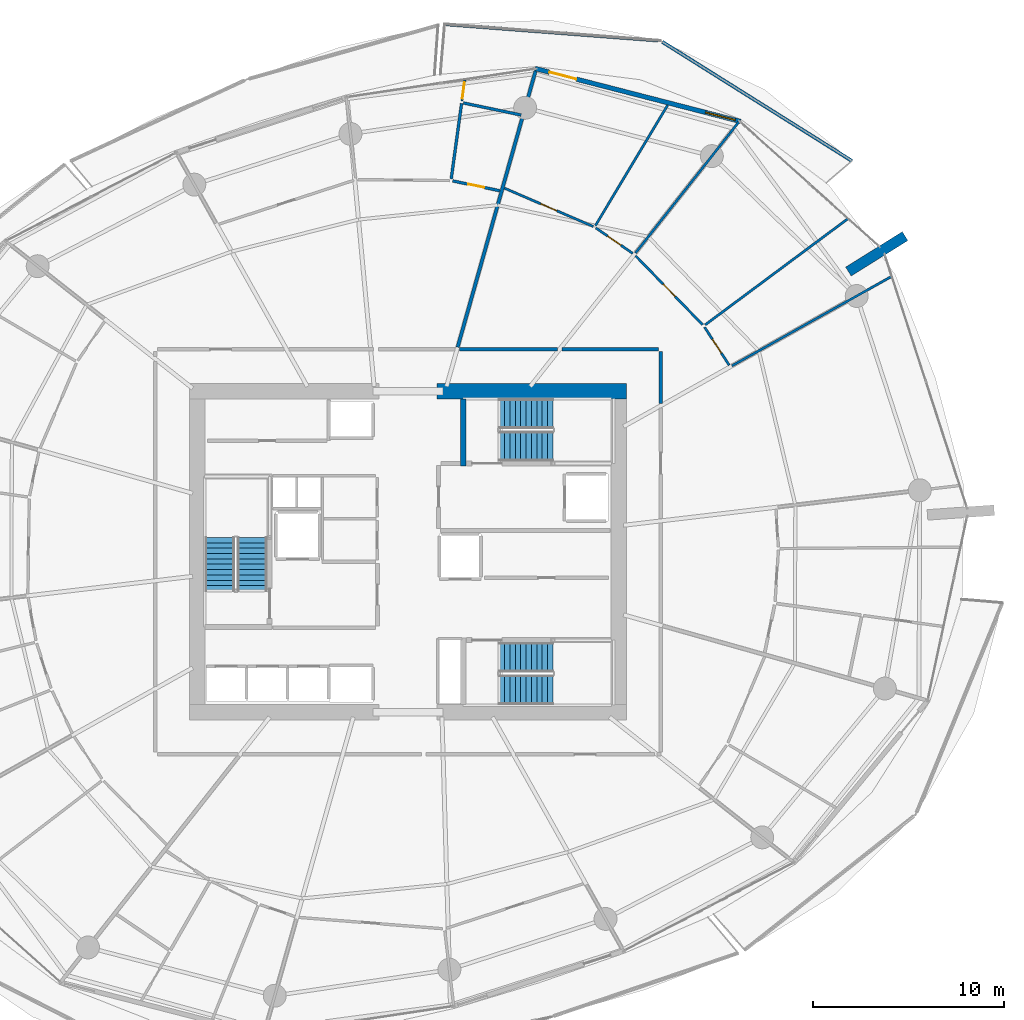
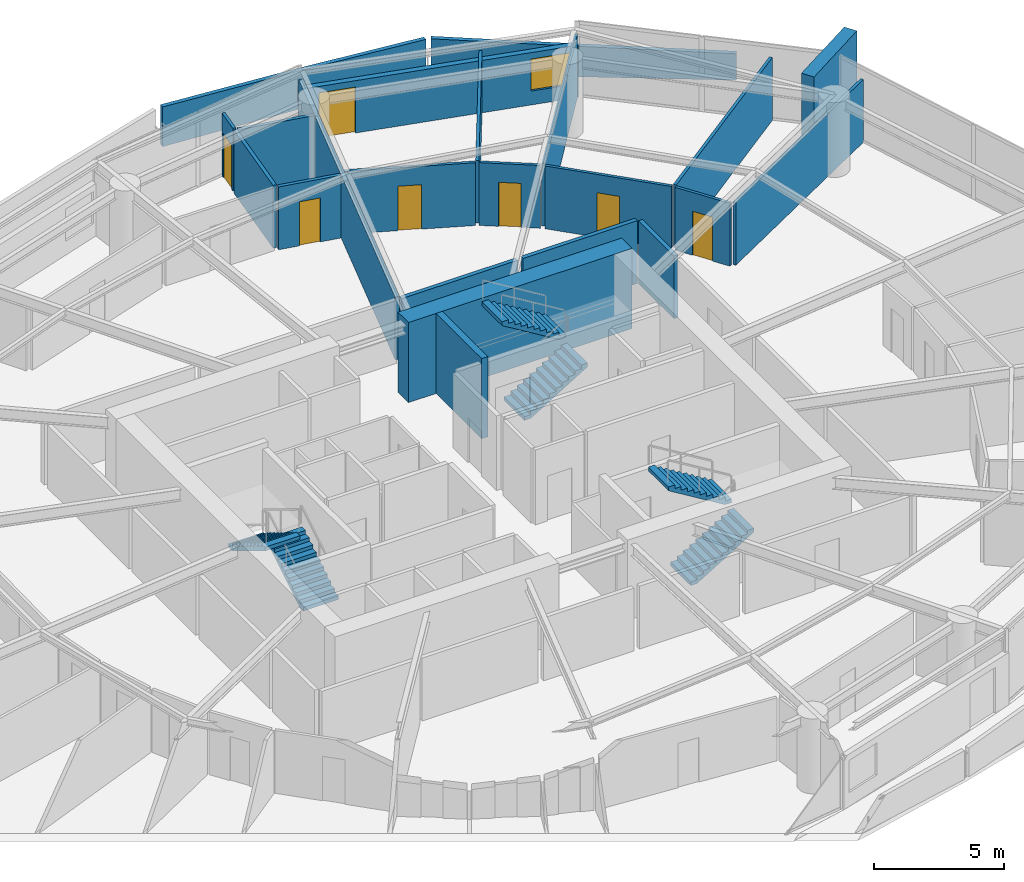
# One storey, part 15 of 22: 22 walls, 7 doors, 6 stair flights, 1 window, 8 openings, 3 elements without a shape of their own.
"""IFC4 building model written with IfcOpenShell, lengths in metres."""

from ifc_helpers import new_model, si_unit, direction, frame, frame_2d, origin, place, context, subcontext, project, spatial, polyline, rectangle, outline, extrude, material, layer, layer_set, type_object, element, fill, aggregate, save


model = new_model("IFC4")

# Units and contexts
model_context = context("Model", 3, precision=1e-05, world=origin(), true_north=direction((0.0, 1.0)))
body_context = subcontext(model_context, "Body", "Model", "MODEL_VIEW")
ifc_project = project(units=[si_unit("LENGTHUNIT", "METRE"), si_unit("AREAUNIT", "SQUARE_METRE"), si_unit("VOLUMEUNIT", "CUBIC_METRE"), si_unit("PLANEANGLEUNIT", "RADIAN"), si_unit("MASSUNIT", "GRAM", prefix="KILO")], contexts=[model_context])

# Site, building, storey
site_placement = place(None, origin())
site = spatial("IfcSite", under=ifc_project, at=site_placement, CompositionType="ELEMENT")
building_placement = place(site_placement, origin())
building = spatial("IfcBuilding", under=site, at=building_placement, Name="Kazma Halo Residences", CompositionType="ELEMENT")
storey_placement = place(building_placement, frame((0.0, 0.0, 93.89990234375)))
storey = spatial("IfcBuildingStorey", under=building, at=storey_placement, Name="L23", CompositionType="ELEMENT", Elevation=93.89990234375)

# Walls
ifc_material_1 = material(Name="White Concrete C50/60 Balustrade", Category="concrete")
ifc_layer_1 = layer(ifc_material_1, 0.179931640625)
ifc_layer_set_1 = layer_set([ifc_layer_1], Name="White Concrete C50/60 Balustrade")
wall_type_1 = type_object("IfcWallType", Name="WL-BAL-WAVE-180", PredefinedType="PARAPET", material=ifc_layer_set_1)
wall_1_placement = place(storey_placement, frame((71.654541015625, 62.4541015625, 0.0), z_axis=(0.0, 0.0, 1.0), x_axis=(-0.846860965628, 0.531814351908, 0.0)))
element("IfcWall", 1, at=wall_1_placement, inside=storey, type_object=wall_type_1, Name="L23 white wave balustrade wall NE.1", PredefinedType="PARAPET", context=body_context, shape_type="SweptSolid", body=[
    extrude(outline(polyline([(0.0, 0.0), (11.7177734375, 0.0), (11.7177734375, 1.632080078125), (5.85888671875, 1.418212890625), (0.0, 1.233154296875), (0.0, 0.0)])), frame((0.0, 0.08984375, 0.0), z_axis=(0.0, -1.0, 0.0), x_axis=(1.0, 0.0, 0.0)), (0.0, 0.0, 1.0), 0.179931640625),
])
wall_2_placement = place(storey_placement, frame((61.510009765625, 68.7587890625, 0.0), z_axis=(0.0, 0.0, 1.0), x_axis=(-0.997088496001, 0.076253073, 0.0)))
element("IfcWall", 2, at=wall_2_placement, inside=storey, type_object=wall_type_1, Name="L23 white wave balustrade wall NE.2", PredefinedType="PARAPET", context=body_context, shape_type="SweptSolid", body=[
    extrude(outline(polyline([(0.0, 0.0), (11.19970703125, 0.0), (11.199462890625, 1.860107421875), (5.599853515625, 1.798095703125), (0.0, 1.632080078125), (0.0, 0.0)])), frame((0.0, 0.08984375, 0.0), z_axis=(0.0, -1.0, 0.0), x_axis=(1.0, 0.0, 0.0)), (0.0, 0.0, 1.0), 0.179931640625),
])
ifc_material_2 = material(Name="Pale Concrete C60/75", Category="concrete")
ifc_layer_2 = layer(ifc_material_2, 0.550048828125)
ifc_layer_set_2 = layer_set([ifc_layer_2], Name="Pale Concrete C60/75")
wall_type_2 = type_object("IfcWallType", Name="WL-BLADE-550", PredefinedType="SOLIDWALL", material=ifc_layer_set_2)
wall_3_placement = place(storey_placement, frame((71.468505859375, 56.664794921875, 0.0), z_axis=(0.0, 0.0, 1.0), x_axis=(0.848053161125, 0.529911158502, 0.0)))
element("IfcWall", 3, at=wall_3_placement, inside=storey, type_object=wall_type_2, Name="L23 pale concrete structural blade fin wall BW-01", PredefinedType="SOLIDWALL", context=body_context, shape_type="SweptSolid", body=[
    extrude(rectangle(XDim=3.5, YDim=0.550048828125, at=frame_2d((1.75, 0.0))), origin(), (0.0, 0.0, 1.0), 3.75),
])
ifc_material_3 = material(Name="Concrete C80/95", Category="concrete")
ifc_layer_3 = layer(ifc_material_3, 0.800048828125)
ifc_layer_set_3 = layer_set([ifc_layer_3], Name="Concrete C80/95")
wall_type_3 = type_object("IfcWallType", Name="WL-CORE-800", PredefinedType="SHEAR", material=ifc_layer_set_3)
wall_4_placement = place(storey_placement, frame((49.949951171875, 50.39990234375, 0.0), z_axis=(0.0, 0.0, 1.0), x_axis=(1.0, 0.0, 0.0)))
element("IfcWall", 4, at=wall_4_placement, inside=storey, type_object=wall_type_3, Name="L23 central core shear wall NE", PredefinedType="SHEAR", context=body_context, shape_type="SweptSolid", body=[
    extrude(rectangle(XDim=9.900146484375, YDim=0.800048828125, at=frame_2d((4.9501953125, 0.0))), origin(), (0.0, 0.0, 1.0), 3.75),
])
ifc_material_4 = material(Name="Concrete C60/75", Category="concrete")
ifc_layer_4 = layer(ifc_material_4, 0.280029296875)
ifc_layer_set_4 = layer_set([ifc_layer_4], Name="Concrete C60/75")
wall_type_4 = type_object("IfcWallType", Name="WL-CORE-ST-280", PredefinedType="SHEAR", material=ifc_layer_set_4)
wall_5_placement = place(storey_placement, frame((51.31005859375, 46.5, 0.0), z_axis=(0.0, 0.0, 1.0), x_axis=(0.0, 1.0, 0.0)))
element("IfcWall", 5, at=wall_5_placement, inside=storey, type_object=wall_type_4, Name="L23 stairwell bearing wall ST02-W", PredefinedType="SHEAR", context=body_context, shape_type="SweptSolid", body=[
    extrude(rectangle(XDim=3.5, YDim=0.280029296875, at=frame_2d((1.75, 0.0))), origin(), (0.0, 0.0, 1.0), 3.75),
])
ifc_material_5 = material(Name="Acoustic Twin-Stud Gypsum")
ifc_layer_5 = layer(ifc_material_5, 0.179931640625)
ifc_layer_set_5 = layer_set([ifc_layer_5], Name="Acoustic Twin-Stud Gypsum")
wall_type_5 = type_object("IfcWallType", Name="WL-DEM-180", PredefinedType="PARTITIONING", material=ifc_layer_set_5)
wall_6_placement = place(storey_placement, frame((51.019287109375, 52.705810546875, 0.0), z_axis=(0.0, 0.0, 1.0), x_axis=(0.271450895995, 0.962452290279, 0.0)))
element("IfcWall", 6, at=wall_6_placement, inside=storey, type_object=wall_type_5, Name="L23 apartment demising radial wall 02", PredefinedType="PARTITIONING", context=body_context, shape_type="SweptSolid", body=[
    extrude(rectangle(XDim=15.014404296875, YDim=0.179931640625, at=frame_2d((7.50732421875, 0.0))), origin(), (0.0, 0.0, 1.0), 2.940185546875),
])
wall_7_placement = place(storey_placement, frame((61.64990234375, 49.764404296875, 0.0), z_axis=(0.0, 0.0, 1.0), x_axis=(0.0, 1.0, 0.0)))
element("IfcWall", 7, at=wall_7_placement, inside=storey, type_object=wall_type_5, Name="L23 Apartment 3 inner wall 0", PredefinedType="PARTITIONING", context=body_context, shape_type="SweptSolid", body=[
    extrude(rectangle(XDim=2.715576171875, YDim=0.179931640625, at=frame_2d((1.35791015625, 0.0))), origin(), (0.0, 0.0, 1.0), 2.940185546875),
])
wall_8_placement = place(storey_placement, frame((61.530029296875, 52.60009765625, 0.0), z_axis=(0.0, 0.0, 1.0), x_axis=(-1.0, 0.0, 0.0)))
element("IfcWall", 8, at=wall_8_placement, inside=storey, type_object=wall_type_5, Name="L23 Apartment 3 inner wall 0", PredefinedType="PARTITIONING", context=body_context, shape_type="SweptSolid", body=[
    extrude(rectangle(XDim=5.0537109375, YDim=0.179931640625, at=frame_2d((2.52685546875, 0.0))), origin(), (0.0, 0.0, 1.0), 2.940185546875),
])
wall_9_placement = place(storey_placement, frame((56.236328125, 52.60009765625, 0.0), z_axis=(0.0, 0.0, 1.0), x_axis=(-1.0, 0.0, 0.0)))
element("IfcWall", 9, at=wall_9_placement, inside=storey, type_object=wall_type_5, Name="L23 Apartment 3 inner wall 1", PredefinedType="PARTITIONING", context=body_context, shape_type="SweptSolid", body=[
    extrude(rectangle(XDim=5.126708984375, YDim=0.179931640625, at=frame_2d((2.5634765625, 0.0))), origin(), (0.0, 0.0, 1.0), 2.940185546875),
])

# Wall, openings, door, window
ifc_material_6 = material(Name="Insulated Pale-Metal Composite Wall")
ifc_layer_6 = layer(ifc_material_6, 0.239990234375)
ifc_layer_set_6 = layer_set([ifc_layer_6], Name="Insulated Pale-Metal Composite Wall")
wall_type_6 = type_object("IfcWallType", Name="WL-EXT-HOST-240", PredefinedType="SOLIDWALL", material=ifc_layer_set_6)
wall_10_placement = place(storey_placement, frame((65.81396484375, 64.52294921875, 0.0), z_axis=(0.0, 0.0, 1.0), x_axis=(-0.968356180858, 0.249572248045, 0.0)))
wall_10 = element("IfcWall", 10, at=wall_10_placement, inside=storey, type_object=wall_type_6, Name="L23 exterior terrace-access wall B02", PredefinedType="SOLIDWALL", context=body_context, shape_type="SweptSolid", body=[
    extrude(rectangle(XDim=11.08447265625, YDim=0.239990234375, at=frame_2d((5.542236328125, 0.0))), origin(), (0.0, 0.0, 1.0), 2.4501953125),
])
opening_1_placement = place(wall_10_placement, frame((8.864501953125, 0.0, 0.0)))
opening_1 = element("IfcOpeningElement", 11, at=opening_1_placement, cuts=wall_10, Name="Opening DTR-1600", PredefinedType="OPENING", context=body_context, shape_type="SweptSolid", body=[
    extrude(rectangle(XDim=1.449951171875, YDim=2.14990234375, at=frame_2d((0.72509765625, 1.074951171875))), frame((0.0, 0.1298828125, 0.0), z_axis=(0.0, -1.0, 0.0), x_axis=(1.0, 0.0, 0.0)), (0.0, 0.0, 1.0), 0.260009765625),
])
opening_2_placement = place(wall_10_placement, frame((0.280029296875, 0.0, 0.64990234375)))
opening_2 = element("IfcOpeningElement", 12, at=opening_2_placement, cuts=wall_10, Name="Opening W-1800", PredefinedType="OPENING", context=body_context, shape_type="SweptSolid", body=[
    extrude(rectangle(XDim=1.60009765625, YDim=1.5, at=frame_2d((0.800048828125, 0.75))), frame((0.0, 0.1298828125, 0.0), z_axis=(0.0, -1.0, 0.0), x_axis=(1.0, 0.0, 0.0)), (0.0, 0.0, 1.0), 0.260009765625),
])
ifc_material_7 = material(Name="Aluminium AW-6063 T6 Double-Glazed Terrace Door", Category="aluminium")
door_type_1 = type_object("IfcDoorType", Name="DR-EXT-TERR-1600", OperationType="NOTDEFINED", PredefinedType="DOOR", material=ifc_material_7)
door_1_placement = place(opening_1_placement, origin())
door_1 = element("IfcDoor", 13, at=door_1_placement, inside=storey, type_object=door_type_1, Name="L23 B02 balcony terrace door", OperationType="DOUBLE_DOOR_SLIDING", OverallHeight=2.14990234375, OverallWidth=1.449951171875, PredefinedType="DOOR", context=body_context, shape_type="SweptSolid", body=[
    extrude(rectangle(XDim=1.449951171875, YDim=2.14990234375, at=frame_2d((0.72509765625, 1.074951171875))), frame((0.0, 0.02490234375, 0.0), z_axis=(0.0, -1.0, 0.0), x_axis=(1.0, 0.0, 0.0)), (0.0, 0.0, 1.0), 0.050048828125),
])
fill(opening_1, door_1)
ifc_material_8 = material(Name="Clear Triple-Silver Low-E Glass in Aluminium AW-6063 T6 Frame", Category="aluminium")
window_type = type_object("IfcWindowType", Name="WIN-RES-1800", PartitioningType="DOUBLE_PANEL_VERTICAL", PredefinedType="WINDOW", material=ifc_material_8)
window_placement = place(opening_2_placement, origin())
window = element("IfcWindow", 14, at=window_placement, inside=storey, type_object=window_type, Name="L23 B02 apartment window", OverallHeight=1.5, OverallWidth=1.60009765625, PartitioningType="SINGLE_PANEL", PredefinedType="WINDOW", context=body_context, shape_type="SweptSolid", body=[
    extrude(rectangle(XDim=1.60009765625, YDim=1.5, at=frame_2d((0.800048828125, 0.75))), frame((0.0, 0.030029296875, 0.0), z_axis=(0.0, -1.0, 0.0), x_axis=(1.0, 0.0, 0.0)), (0.0, 0.0, 1.0), 0.06005859375),
])
fill(opening_2, window)

# Wall, opening, door
ifc_material_9 = material(Name="Gypsum Plasterboard Partition")
ifc_layer_7 = layer(ifc_material_9, 0.125)
ifc_layer_set_7 = layer_set([ifc_layer_7], Name="Gypsum Plasterboard Partition")
wall_type_7 = type_object("IfcWallType", Name="WL-PART-125", PredefinedType="PARTITIONING", material=ifc_layer_set_7)
wall_11_placement = place(storey_placement, frame((51.24462890625, 65.594970703125, 0.0), z_axis=(0.0, 0.0, 1.0), x_axis=(0.136353678585, 0.990660221436, 0.0)))
wall_11 = element("IfcWall", 15, at=wall_11_placement, inside=storey, type_object=wall_type_7, Name="L23 Apartment 1 Utility Laundry Room partition wall", PredefinedType="PARTITIONING", context=body_context, shape_type="SweptSolid", body=[
    extrude(rectangle(XDim=1.1064453125, YDim=0.125, at=frame_2d((0.55322265625, 0.0))), origin(), (0.0, 0.0, 1.0), 2.940185546875),
])
opening_3_placement = place(wall_11_placement, frame((0.12841796875, 0.0, 0.0)))
opening_3 = element("IfcOpeningElement", 16, at=opening_3_placement, cuts=wall_11, Name="Opening DB-900", PredefinedType="OPENING", context=body_context, shape_type="SweptSolid", body=[
    extrude(rectangle(XDim=0.85009765625, YDim=2.06005859375, at=frame_2d((0.425048828125, 1.030029296875))), frame((0.0, 0.072509765625, 0.0), z_axis=(0.0, -1.0, 0.0), x_axis=(1.0, 0.0, 0.0)), (0.0, 0.0, 1.0), 0.14501953125),
])
ifc_material_10 = material(Name="Moisture-Sealed Timber Leaf", Category="wood")
door_type_2 = type_object("IfcDoorType", Name="DR-BTH-900", OperationType="NOTDEFINED", PredefinedType="DOOR", material=ifc_material_10)
door_2_placement = place(opening_3_placement, origin())
door_2 = element("IfcDoor", 17, at=door_2_placement, inside=storey, type_object=door_type_2, Name="L23 Apartment 1 Utility Laundry Room door", OperationType="SINGLE_SWING_LEFT", OverallHeight=2.06005859375, OverallWidth=0.85009765625, PredefinedType="DOOR", context=body_context, shape_type="SweptSolid", body=[
    extrude(rectangle(XDim=0.85009765625, YDim=2.06005859375, at=frame_2d((0.425048828125, 1.030029296875))), frame((0.0, 0.02490234375, 0.0), z_axis=(0.0, -1.0, 0.0), x_axis=(1.0, 0.0, 0.0)), (0.0, 0.0, 1.0), 0.050048828125),
])
fill(opening_3, door_2)

# Walls
wall_12_placement = place(storey_placement, frame((65.373046875, 51.7294921875, 0.0), z_axis=(0.0, 0.0, 1.0), x_axis=(0.872500794254, 0.488612693272, 0.0)))
element("IfcWall", 18, at=wall_12_placement, inside=storey, type_object=wall_type_7, Name="L23 Apartment 3 radial partition 0", PredefinedType="PARTITIONING", context=body_context, shape_type="SweptSolid", body=[
    extrude(rectangle(XDim=9.567626953125, YDim=0.125, at=frame_2d((4.78369140625, 0.0))), origin(), (0.0, 0.0, 1.0), 2.940185546875),
])
wall_13_placement = place(storey_placement, frame((63.971435546875, 53.87451171875, 0.0), z_axis=(0.0, 0.0, 1.0), x_axis=(0.802511356626, 0.596636843052, 0.0)))
element("IfcWall", 19, at=wall_13_placement, inside=storey, type_object=wall_type_7, Name="L23 Apartment 3 mid-bay wall 0", PredefinedType="PARTITIONING", context=body_context, shape_type="SweptSolid", body=[
    extrude(rectangle(XDim=9.294921875, YDim=0.125, at=frame_2d((4.6474609375, 0.0))), origin(), (0.0, 0.0, 1.0), 2.940185546875),
])

# Wall, opening, door
wall_14_placement = place(storey_placement, frame((65.2314453125, 51.764404296875, 0.0), z_axis=(0.0, 0.0, 1.0), x_axis=(-0.543742324159, 0.839252217702, 0.0)))
wall_14 = element("IfcWall", 20, at=wall_14_placement, inside=storey, type_object=wall_type_7, Name="L23 Apartment 3 East Wine Pantry Store hall wall", PredefinedType="PARTITIONING", context=body_context, shape_type="SweptSolid", body=[
    extrude(rectangle(XDim=2.370361328125, YDim=0.125, at=frame_2d((1.18505859375, 0.0))), origin(), (0.0, 0.0, 1.0), 2.940185546875),
])
opening_4_placement = place(wall_14_placement, frame((0.760009765625, 0.0, 0.0)))
opening_4 = element("IfcOpeningElement", 21, at=opening_4_placement, cuts=wall_14, Name="Opening DB-900", PredefinedType="OPENING", context=body_context, shape_type="SweptSolid", body=[
    extrude(rectangle(XDim=0.85009765625, YDim=2.06005859375, at=frame_2d((0.425048828125, 1.030029296875))), frame((0.0, 0.072509765625, 0.0), z_axis=(0.0, -1.0, 0.0), x_axis=(1.0, 0.0, 0.0)), (0.0, 0.0, 1.0), 0.14501953125),
])
door_3_placement = place(opening_4_placement, origin())
door_3 = element("IfcDoor", 22, at=door_3_placement, inside=storey, type_object=door_type_2, Name="L23 Apartment 3 East Wine Pantry Store door", OperationType="SINGLE_SWING_RIGHT", OverallHeight=2.06005859375, OverallWidth=0.85009765625, PredefinedType="DOOR", context=body_context, shape_type="SweptSolid", body=[
    extrude(rectangle(XDim=0.85009765625, YDim=2.06005859375, at=frame_2d((0.425048828125, 1.030029296875))), frame((0.0, 0.02490234375, 0.0), z_axis=(0.0, -1.0, 0.0), x_axis=(1.0, 0.0, 0.0)), (0.0, 0.0, 1.0), 0.050048828125),
])
fill(opening_4, door_3)

wall_15_placement = place(storey_placement, frame((63.843505859375, 53.878173828125, 0.0), z_axis=(0.0, 0.0, 1.0), x_axis=(-0.697043758456, 0.717028589944, 0.0)))
wall_15 = element("IfcWall", 23, at=wall_15_placement, inside=storey, type_object=wall_type_7, Name="L23 Apartment 3 West Formal Dining Room hall wall", PredefinedType="PARTITIONING", context=body_context, shape_type="SweptSolid", body=[
    extrude(rectangle(XDim=5.033203125, YDim=0.125, at=frame_2d((2.5166015625, 0.0))), origin(), (0.0, 0.0, 1.0), 2.940185546875),
])
opening_5_placement = place(wall_15_placement, frame((2.06640625, 0.0, 0.0)))
opening_5 = element("IfcOpeningElement", 24, at=opening_5_placement, cuts=wall_15, Name="Opening DI-950", PredefinedType="OPENING", context=body_context, shape_type="SweptSolid", body=[
    extrude(rectangle(XDim=0.89990234375, YDim=2.080078125, at=frame_2d((0.449951171875, 1.0400390625))), frame((0.0, 0.072509765625, 0.0), z_axis=(0.0, -1.0, 0.0), x_axis=(1.0, 0.0, 0.0)), (0.0, 0.0, 1.0), 0.14501953125),
])
ifc_material_11 = material(Name="Timber Veneer Flush Leaf", Category="wood")
door_type_3 = type_object("IfcDoorType", Name="DR-INT-950", OperationType="NOTDEFINED", PredefinedType="DOOR", material=ifc_material_11)
door_4_placement = place(opening_5_placement, origin())
door_4 = element("IfcDoor", 25, at=door_4_placement, inside=storey, type_object=door_type_3, Name="L23 Apartment 3 West Formal Dining Room door", OperationType="SINGLE_SWING_LEFT", OverallHeight=2.080078125, OverallWidth=0.89990234375, PredefinedType="DOOR", context=body_context, shape_type="SweptSolid", body=[
    extrude(rectangle(XDim=0.89990234375, YDim=2.080078125, at=frame_2d((0.449951171875, 1.0400390625))), frame((0.0, 0.02490234375, 0.0), z_axis=(0.0, -1.0, 0.0), x_axis=(1.0, 0.0, 0.0)), (0.0, 0.0, 1.0), 0.050048828125),
])
fill(opening_5, door_4)

# Walls
wall_16_placement = place(storey_placement, frame((60.327392578125, 57.63720703125, 0.0), z_axis=(0.0, 0.0, 1.0), x_axis=(0.619087433546, 0.785322067451, 0.0)))
element("IfcWall", 26, at=wall_16_placement, inside=storey, type_object=wall_type_7, Name="L23 Apartment 3 radial partition 1", PredefinedType="PARTITIONING", context=body_context, shape_type="SweptSolid", body=[
    extrude(rectangle(XDim=8.759033203125, YDim=0.125, at=frame_2d((4.37939453125, 0.0))), origin(), (0.0, 0.0, 1.0), 2.940185546875),
])
wall_17_placement = place(storey_placement, frame((58.231689453125, 59.070556640625, 0.0), z_axis=(0.0, 0.0, 1.0), x_axis=(0.514095403265, 0.857733009941, 0.0)))
element("IfcWall", 27, at=wall_17_placement, inside=storey, type_object=wall_type_7, Name="L23 Apartment 3 mid-bay wall 1", PredefinedType="PARTITIONING", context=body_context, shape_type="SweptSolid", body=[
    extrude(rectangle(XDim=7.354736328125, YDim=0.125, at=frame_2d((3.67724609375, 0.0))), origin(), (0.0, 0.0, 1.0), 2.940185546875),
])

# Wall, opening, door
wall_18_placement = place(storey_placement, frame((60.18310546875, 57.615478515625, 0.0), z_axis=(0.0, 0.0, 1.0), x_axis=(-0.823175900657, 0.567786435711, 0.0)))
wall_18 = element("IfcWall", 28, at=wall_18_placement, inside=storey, type_object=wall_type_7, Name="L23 Apartment 3 North Dressing Wardrobe hall wall", PredefinedType="PARTITIONING", context=body_context, shape_type="SweptSolid", body=[
    extrude(rectangle(XDim=2.346923828125, YDim=0.125, at=frame_2d((1.17333984375, 0.0))), origin(), (0.0, 0.0, 1.0), 2.940185546875),
])
opening_6_placement = place(wall_18_placement, frame((0.748291015625, 0.0, 0.0)))
opening_6 = element("IfcOpeningElement", 29, at=opening_6_placement, cuts=wall_18, Name="Opening DB-900", PredefinedType="OPENING", context=body_context, shape_type="SweptSolid", body=[
    extrude(rectangle(XDim=0.85009765625, YDim=2.06005859375, at=frame_2d((0.425048828125, 1.030029296875))), frame((0.0, 0.072509765625, 0.0), z_axis=(0.0, -1.0, 0.0), x_axis=(1.0, 0.0, 0.0)), (0.0, 0.0, 1.0), 0.14501953125),
])
door_5_placement = place(opening_6_placement, origin())
door_5 = element("IfcDoor", 30, at=door_5_placement, inside=storey, type_object=door_type_2, Name="L23 Apartment 3 North Dressing Wardrobe door", OperationType="SINGLE_SWING_LEFT", OverallHeight=2.06005859375, OverallWidth=0.85009765625, PredefinedType="DOOR", context=body_context, shape_type="SweptSolid", body=[
    extrude(rectangle(XDim=0.85009765625, YDim=2.06005859375, at=frame_2d((0.425048828125, 1.030029296875))), frame((0.0, 0.02490234375, 0.0), z_axis=(0.0, -1.0, 0.0), x_axis=(1.0, 0.0, 0.0)), (0.0, 0.0, 1.0), 0.050048828125),
])
fill(opening_6, door_5)

wall_19_placement = place(storey_placement, frame((58.11181640625, 59.02490234375, 0.0), z_axis=(0.0, 0.0, 1.0), x_axis=(-0.918133031735, 0.396272300365, 0.0)))
wall_19 = element("IfcWall", 31, at=wall_19_placement, inside=storey, type_object=wall_type_7, Name="L23 Apartment 3 South Master Bedroom hall wall", PredefinedType="PARTITIONING", context=body_context, shape_type="SweptSolid", body=[
    extrude(rectangle(XDim=5.056396484375, YDim=0.125, at=frame_2d((2.5283203125, 0.0))), origin(), (0.0, 0.0, 1.0), 2.940185546875),
])
opening_7_placement = place(wall_19_placement, frame((2.078125, 0.0, 0.0)))
opening_7 = element("IfcOpeningElement", 32, at=opening_7_placement, cuts=wall_19, Name="Opening DI-950", PredefinedType="OPENING", context=body_context, shape_type="SweptSolid", body=[
    extrude(rectangle(XDim=0.89990234375, YDim=2.080078125, at=frame_2d((0.449951171875, 1.0400390625))), frame((0.0, 0.072509765625, 0.0), z_axis=(0.0, -1.0, 0.0), x_axis=(1.0, 0.0, 0.0)), (0.0, 0.0, 1.0), 0.14501953125),
])
door_6_placement = place(opening_7_placement, origin())
door_6 = element("IfcDoor", 33, at=door_6_placement, inside=storey, type_object=door_type_3, Name="L23 Apartment 3 South Master Bedroom door", OperationType="SINGLE_SWING_RIGHT", OverallHeight=2.080078125, OverallWidth=0.89990234375, PredefinedType="DOOR", context=body_context, shape_type="SweptSolid", body=[
    extrude(rectangle(XDim=0.89990234375, YDim=2.080078125, at=frame_2d((0.449951171875, 1.0400390625))), frame((0.0, 0.02490234375, 0.0), z_axis=(0.0, -1.0, 0.0), x_axis=(1.0, 0.0, 0.0)), (0.0, 0.0, 1.0), 0.050048828125),
])
fill(opening_7, door_6)

ifc_material_12 = material(Name="Moisture-Resistant Gypsum")
ifc_layer_8 = layer(ifc_material_12, 0.14990234375)
ifc_layer_set_8 = layer_set([ifc_layer_8], Name="Moisture-Resistant Gypsum")
wall_type_8 = type_object("IfcWallType", Name="WL-WET-150", PredefinedType="PARTITIONING", material=ifc_layer_set_8)
wall_20_placement = place(storey_placement, frame((53.224853515625, 60.893310546875, 0.0), z_axis=(0.0, 0.0, 1.0), x_axis=(-0.978917465899, 0.204256199312, 0.0)))
wall_20 = element("IfcWall", 34, at=wall_20_placement, inside=storey, type_object=wall_type_8, Name="L23 Apartment 1 Guest Bathroom hall wall", PredefinedType="PARTITIONING", context=body_context, shape_type="SweptSolid", body=[
    extrude(rectangle(XDim=2.518310546875, YDim=0.14990234375, at=frame_2d((1.25927734375, 0.0))), origin(), (0.0, 0.0, 1.0), 2.940185546875),
])
opening_8_placement = place(wall_20_placement, frame((0.834228515625, 0.0, 0.0)))
opening_8 = element("IfcOpeningElement", 35, at=opening_8_placement, cuts=wall_20, Name="Opening DB-900", PredefinedType="OPENING", context=body_context, shape_type="SweptSolid", body=[
    extrude(rectangle(XDim=0.85009765625, YDim=2.06005859375, at=frame_2d((0.425048828125, 1.030029296875))), frame((0.0, 0.0849609375, 0.0), z_axis=(0.0, -1.0, 0.0), x_axis=(1.0, 0.0, 0.0)), (0.0, 0.0, 1.0), 0.169921875),
])
door_7_placement = place(opening_8_placement, origin())
door_7 = element("IfcDoor", 36, at=door_7_placement, inside=storey, type_object=door_type_2, Name="L23 Apartment 1 Guest Bathroom door", OperationType="SINGLE_SWING_RIGHT", OverallHeight=2.06005859375, OverallWidth=0.85009765625, PredefinedType="DOOR", context=body_context, shape_type="SweptSolid", body=[
    extrude(rectangle(XDim=0.85009765625, YDim=2.06005859375, at=frame_2d((0.425048828125, 1.030029296875))), frame((0.0, 0.02490234375, 0.0), z_axis=(0.0, -1.0, 0.0), x_axis=(1.0, 0.0, 0.0)), (0.0, 0.0, 1.0), 0.050048828125),
])
fill(opening_8, door_7)

# Walls
wall_21_placement = place(storey_placement, frame((54.342529296875, 64.856689453125, 0.0), z_axis=(0.0, 0.0, 1.0), x_axis=(-0.9789132564, 0.2042763727, 0.0)))
element("IfcWall", 37, at=wall_21_placement, inside=storey, type_object=wall_type_8, Name="L23 Apartment 1 Guest Bathroom back wall", PredefinedType="PARTITIONING", context=body_context, shape_type="SweptSolid", body=[
    extrude(rectangle(XDim=3.087158203125, YDim=0.14990234375, at=frame_2d((1.54345703125, 0.0))), origin(), (0.0, 0.0, 1.0), 2.940185546875),
])
wall_22_placement = place(storey_placement, frame((50.68359375, 61.515380859375, 0.0), z_axis=(0.0, 0.0, 1.0), x_axis=(0.136268658076, 0.990671919874, 0.0)))
element("IfcWall", 38, at=wall_22_placement, inside=storey, type_object=wall_type_8, Name="L23 Apartment 1 Guest Bathroom side wall", PredefinedType="PARTITIONING", context=body_context, shape_type="SweptSolid", body=[
    extrude(rectangle(XDim=3.988037109375, YDim=0.14990234375, at=frame_2d((1.994140625, 0.0))), origin(), (0.0, 0.0, 1.0), 2.940185546875),
])

# Stair, stair flights
ifc_material_13 = material(Name="Concrete C50/60", Category="concrete")
stair_type = type_object("IfcStairType", Name="STR-RES1", PredefinedType="HALF_TURN_STAIR", material=ifc_material_13)
stair_1_placement = place(storey_placement, origin())
stair_1 = element("IfcStair", 39, at=stair_1_placement, inside=storey, type_object=stair_type, Name="L23 Core exit stair ST-01", PredefinedType="HALF_TURN_STAIR")
stair_flight_type = type_object("IfcStairFlightType", Name="STR-RES1-FLT", PredefinedType="STRAIGHT", material=ifc_material_13)
stair_flight_1_placement = place(storey_placement, frame((40.27490234375, 39.949951171875, 0.0), z_axis=(0.0, 0.0, 1.0), x_axis=(0.0, 1.0, 0.0)))
stair_flight_1 = element("IfcStairFlight", 40, at=stair_flight_1_placement, type_object=stair_flight_type, Name="ST-01 flight 1", NumberOfRisers=11, NumberOfTreads=10, PredefinedType="STRAIGHT", RiserHeight=0.170454545, TreadLength=0.28, context=body_context, shape_type="SweptSolid", body=[
    extrude(outline(polyline([(0.0, 0.0), (0.0, 0.17041015625), (0.280029296875, 0.17041015625), (0.280029296875, 0.3408203125), (0.56005859375, 0.3408203125), (0.56005859375, 0.511474609375), (0.840087890625, 0.511474609375), (0.840087890625, 0.681884765625), (1.1201171875, 0.681884765625), (1.1201171875, 0.852294921875), (1.39990234375, 0.852294921875), (1.39990234375, 1.022705078125), (1.679931640625, 1.022705078125), (1.679931640625, 1.193115234375), (1.9599609375, 1.193115234375), (1.9599609375, 1.363525390625), (2.239990234375, 1.363525390625), (2.239990234375, 1.5341796875), (2.52001953125, 1.5341796875), (2.52001953125, 1.70458984375), (2.800048828125, 1.70458984375), (2.800048828125, 1.875), (2.800048828125, 1.529052734375), (0.288330078125, 0.0), (0.0, 0.0)])), frame((0.0, 0.77490234375, 0.0), z_axis=(0.0, -1.0, 0.0), x_axis=(1.0, 0.0, 0.0)), (0.0, 0.0, 1.0), 1.550048828125),
])
stair_flight_2_placement = place(storey_placement, frame((38.574951171875, 42.75, 1.875), z_axis=(0.0, 0.0, 1.0), x_axis=(0.0, -1.0, 0.0)))
stair_flight_2 = element("IfcStairFlight", 41, at=stair_flight_2_placement, type_object=stair_flight_type, Name="ST-01 flight 2", NumberOfRisers=11, NumberOfTreads=10, PredefinedType="STRAIGHT", RiserHeight=0.170454545, TreadLength=0.28, context=body_context, shape_type="SweptSolid", body=[
    extrude(outline(polyline([(0.0, 0.0), (0.0, 0.17041015625), (0.280029296875, 0.17041015625), (0.280029296875, 0.3408203125), (0.56005859375, 0.3408203125), (0.56005859375, 0.511474609375), (0.840087890625, 0.511474609375), (0.840087890625, 0.681884765625), (1.1201171875, 0.681884765625), (1.1201171875, 0.852294921875), (1.39990234375, 0.852294921875), (1.39990234375, 1.022705078125), (1.679931640625, 1.022705078125), (1.679931640625, 1.193115234375), (1.9599609375, 1.193115234375), (1.9599609375, 1.363525390625), (2.239990234375, 1.363525390625), (2.239990234375, 1.5341796875), (2.52001953125, 1.5341796875), (2.52001953125, 1.70458984375), (2.800048828125, 1.70458984375), (2.800048828125, 1.875), (2.800048828125, 1.529052734375), (0.288330078125, 0.0), (0.0, 0.0)])), frame((0.0, 0.77490234375, 0.0), z_axis=(0.0, -1.0, 0.0), x_axis=(1.0, 0.0, 0.0)), (0.0, 0.0, 1.0), 1.550048828125),
])
aggregate(stair_1, [stair_flight_1, stair_flight_2])

stair_2_placement = place(storey_placement, origin())
stair_2 = element("IfcStair", 42, at=stair_2_placement, inside=storey, type_object=stair_type, Name="L23 Core exit stair ST-02", PredefinedType="HALF_TURN_STAIR")
stair_flight_3_placement = place(storey_placement, frame((53.199951171875, 47.52490234375, 0.0), z_axis=(0.0, 0.0, 1.0), x_axis=(1.0, 0.0, 0.0)))
stair_flight_3 = element("IfcStairFlight", 43, at=stair_flight_3_placement, type_object=stair_flight_type, Name="ST-02 flight 1", NumberOfRisers=11, NumberOfTreads=10, PredefinedType="STRAIGHT", RiserHeight=0.170454545, TreadLength=0.28, context=body_context, shape_type="SweptSolid", body=[
    extrude(outline(polyline([(0.0, 0.0), (0.0, 0.17041015625), (0.280029296875, 0.17041015625), (0.280029296875, 0.3408203125), (0.56005859375, 0.3408203125), (0.56005859375, 0.511474609375), (0.840087890625, 0.511474609375), (0.840087890625, 0.681884765625), (1.1201171875, 0.681884765625), (1.1201171875, 0.852294921875), (1.39990234375, 0.852294921875), (1.39990234375, 1.022705078125), (1.679931640625, 1.022705078125), (1.679931640625, 1.193115234375), (1.9599609375, 1.193115234375), (1.9599609375, 1.363525390625), (2.239990234375, 1.363525390625), (2.239990234375, 1.5341796875), (2.52001953125, 1.5341796875), (2.52001953125, 1.70458984375), (2.800048828125, 1.70458984375), (2.800048828125, 1.875), (2.800048828125, 1.529052734375), (0.288330078125, 0.0), (0.0, 0.0)])), frame((0.0, 0.77490234375, 0.0), z_axis=(0.0, -1.0, 0.0), x_axis=(1.0, 0.0, 0.0)), (0.0, 0.0, 1.0), 1.550048828125),
])
stair_flight_4_placement = place(storey_placement, frame((56.0, 49.22509765625, 1.875), z_axis=(0.0, 0.0, 1.0), x_axis=(-1.0, 0.0, 0.0)))
stair_flight_4 = element("IfcStairFlight", 44, at=stair_flight_4_placement, type_object=stair_flight_type, Name="ST-02 flight 2", NumberOfRisers=11, NumberOfTreads=10, PredefinedType="STRAIGHT", RiserHeight=0.170454545, TreadLength=0.28, context=body_context, shape_type="SweptSolid", body=[
    extrude(outline(polyline([(0.0, 0.0), (0.0, 0.17041015625), (0.280029296875, 0.17041015625), (0.280029296875, 0.3408203125), (0.56005859375, 0.3408203125), (0.56005859375, 0.511474609375), (0.840087890625, 0.511474609375), (0.840087890625, 0.681884765625), (1.1201171875, 0.681884765625), (1.1201171875, 0.852294921875), (1.39990234375, 0.852294921875), (1.39990234375, 1.022705078125), (1.679931640625, 1.022705078125), (1.679931640625, 1.193115234375), (1.9599609375, 1.193115234375), (1.9599609375, 1.363525390625), (2.239990234375, 1.363525390625), (2.239990234375, 1.5341796875), (2.52001953125, 1.5341796875), (2.52001953125, 1.70458984375), (2.800048828125, 1.70458984375), (2.800048828125, 1.875), (2.800048828125, 1.529052734375), (0.288330078125, 0.0), (0.0, 0.0)])), frame((0.0, 0.77490234375, 0.0), z_axis=(0.0, -1.0, 0.0), x_axis=(1.0, 0.0, 0.0)), (0.0, 0.0, 1.0), 1.550048828125),
])
aggregate(stair_2, [stair_flight_3, stair_flight_4])

stair_3_placement = place(storey_placement, origin())
stair_3 = element("IfcStair", 45, at=stair_3_placement, inside=storey, type_object=stair_type, Name="L23 Core exit stair ST-03", PredefinedType="HALF_TURN_STAIR")
stair_flight_5_placement = place(storey_placement, frame((53.199951171875, 34.77490234375, 0.0), z_axis=(0.0, 0.0, 1.0), x_axis=(1.0, 0.0, 0.0)))
stair_flight_5 = element("IfcStairFlight", 46, at=stair_flight_5_placement, type_object=stair_flight_type, Name="ST-03 flight 1", NumberOfRisers=11, NumberOfTreads=10, PredefinedType="STRAIGHT", RiserHeight=0.170454545, TreadLength=0.28, context=body_context, shape_type="SweptSolid", body=[
    extrude(outline(polyline([(0.0, 0.0), (0.0, 0.17041015625), (0.280029296875, 0.17041015625), (0.280029296875, 0.3408203125), (0.56005859375, 0.3408203125), (0.56005859375, 0.511474609375), (0.840087890625, 0.511474609375), (0.840087890625, 0.681884765625), (1.1201171875, 0.681884765625), (1.1201171875, 0.852294921875), (1.39990234375, 0.852294921875), (1.39990234375, 1.022705078125), (1.679931640625, 1.022705078125), (1.679931640625, 1.193115234375), (1.9599609375, 1.193115234375), (1.9599609375, 1.363525390625), (2.239990234375, 1.363525390625), (2.239990234375, 1.5341796875), (2.52001953125, 1.5341796875), (2.52001953125, 1.70458984375), (2.800048828125, 1.70458984375), (2.800048828125, 1.875), (2.800048828125, 1.529052734375), (0.288330078125, 0.0), (0.0, 0.0)])), frame((0.0, 0.77490234375, 0.0), z_axis=(0.0, -1.0, 0.0), x_axis=(1.0, 0.0, 0.0)), (0.0, 0.0, 1.0), 1.550048828125),
])
stair_flight_6_placement = place(storey_placement, frame((56.0, 36.47509765625, 1.875), z_axis=(0.0, 0.0, 1.0), x_axis=(-1.0, 0.0, 0.0)))
stair_flight_6 = element("IfcStairFlight", 47, at=stair_flight_6_placement, type_object=stair_flight_type, Name="ST-03 flight 2", NumberOfRisers=11, NumberOfTreads=10, PredefinedType="STRAIGHT", RiserHeight=0.170454545, TreadLength=0.28, context=body_context, shape_type="SweptSolid", body=[
    extrude(outline(polyline([(0.0, 0.0), (0.0, 0.17041015625), (0.280029296875, 0.17041015625), (0.280029296875, 0.3408203125), (0.56005859375, 0.3408203125), (0.56005859375, 0.511474609375), (0.840087890625, 0.511474609375), (0.840087890625, 0.681884765625), (1.1201171875, 0.681884765625), (1.1201171875, 0.852294921875), (1.39990234375, 0.852294921875), (1.39990234375, 1.022705078125), (1.679931640625, 1.022705078125), (1.679931640625, 1.193115234375), (1.9599609375, 1.193115234375), (1.9599609375, 1.363525390625), (2.239990234375, 1.363525390625), (2.239990234375, 1.5341796875), (2.52001953125, 1.5341796875), (2.52001953125, 1.70458984375), (2.800048828125, 1.70458984375), (2.800048828125, 1.875), (2.800048828125, 1.529052734375), (0.288330078125, 0.0), (0.0, 0.0)])), frame((0.0, 0.77490234375, 0.0), z_axis=(0.0, -1.0, 0.0), x_axis=(1.0, 0.0, 0.0)), (0.0, 0.0, 1.0), 1.550048828125),
])
aggregate(stair_3, [stair_flight_5, stair_flight_6])

save(model, "model.ifc")
